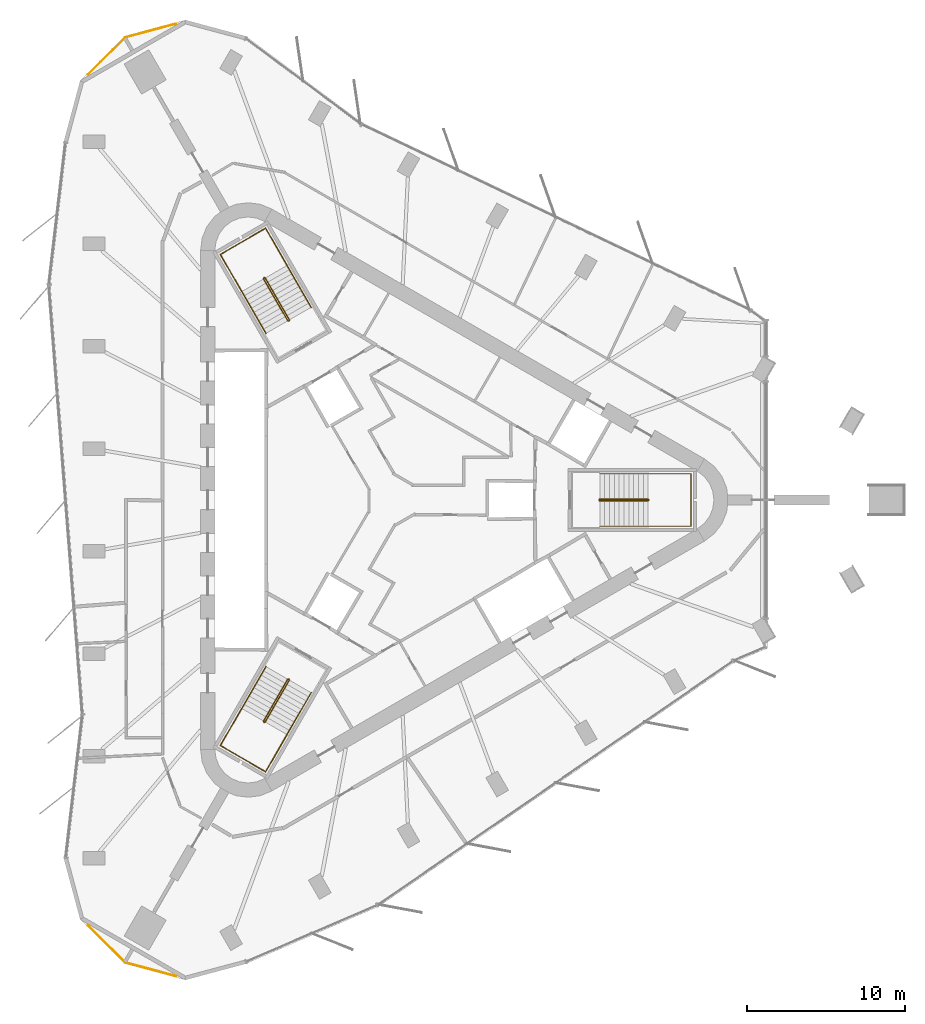
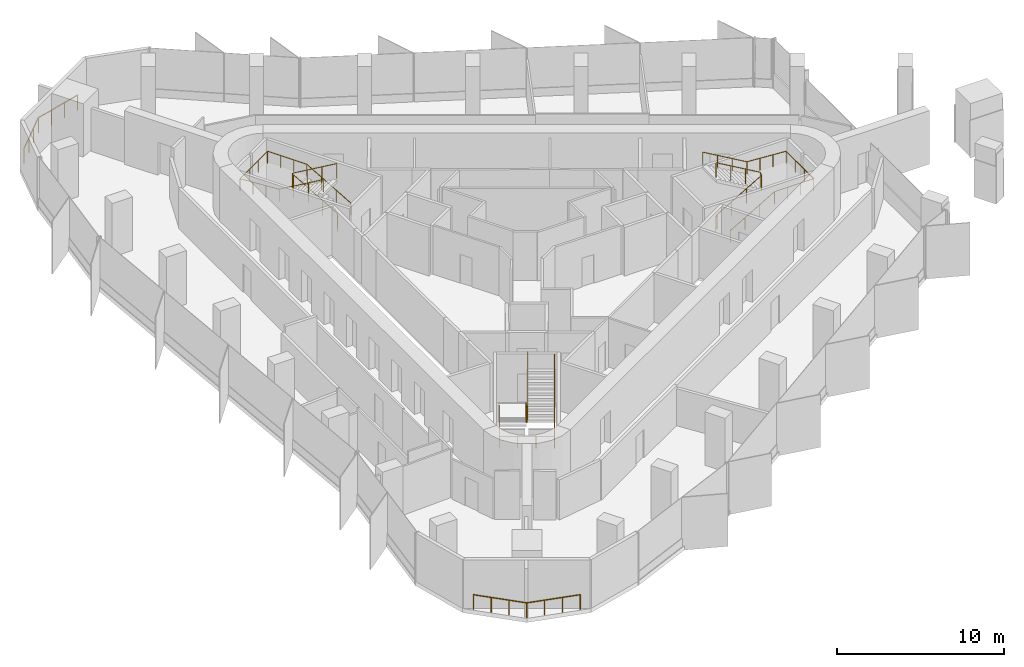
# One storey, part 12 of 12: 8 railings.
"""IFC4 building model written with IfcOpenShell, lengths in metres."""

from ifc_helpers import new_model, si_unit, direction, frame, origin, origin_2d, place, context, subcontext, project, spatial, circle, extrude, material, type_object, element, save


model = new_model("IFC4")

# Units and contexts
model_context = context("Model", 3, precision=1e-05, world=origin(), true_north=direction((0.0, 1.0)))
body_context = subcontext(model_context, "Body", "Model", "MODEL_VIEW")
ifc_project = project(units=[si_unit("LENGTHUNIT", "METRE"), si_unit("AREAUNIT", "SQUARE_METRE"), si_unit("VOLUMEUNIT", "CUBIC_METRE"), si_unit("PLANEANGLEUNIT", "RADIAN"), si_unit("MASSUNIT", "GRAM", prefix="KILO")], contexts=[model_context])

# Site, building, storey
site_placement = place(None, origin())
site = spatial("IfcSite", under=ifc_project, at=site_placement, CompositionType="ELEMENT")
building_placement = place(site_placement, origin())
building = spatial("IfcBuilding", under=site, at=building_placement, Name="Tanit Gate Tower", CompositionType="ELEMENT")
storey_placement = place(building_placement, frame((0.0, 0.0, 388.39990234375)))
storey = spatial("IfcBuildingStorey", under=building, at=storey_placement, Name="L89", CompositionType="ELEMENT", Elevation=388.39990234375)

# Railings
ifc_material_1 = material(Name="Stainless steel", Category="steel")
railing_type_1 = type_object("IfcRailingType", Name="Guard 1100 stainless steel balustrade", PredefinedType="GUARDRAIL", material=ifc_material_1)
railing_1_placement = place(storey_placement, frame((-13.66552734375, -30.05126953125, 0.0)))
element("IfcRailing", 1, at=railing_1_placement, inside=storey, type_object=railing_type_1, Name="Corner ledge guard L89 1", PredefinedType="GUARDRAIL", context=body_context, shape_type="SweptSolid", body=[
    extrude(circle(Radius=0.02392578125, at=origin_2d()), frame((0.0, 0.0, 1.076171875), z_axis=(-0.965927598952, 0.258812429344, 0.0), x_axis=(-0.258812429344, -0.965927598952, 0.0)), (0.0, 0.0, 1.0), 3.303466796875),
    extrude(circle(Radius=0.02392578125, at=origin_2d()), frame((-3.19091796875, 0.85498046875, 1.076171875), z_axis=(-0.707106781187, 0.707106781187, 0.0), x_axis=(-0.707106781187, -0.707106781187, 0.0)), (0.0, 0.0, 1.0), 3.303466796875),
    extrude(circle(Radius=0.02099609375, at=origin_2d()), origin(), (0.0, 0.0, 1.0), 1.052001953125),
    extrude(circle(Radius=0.02099609375, at=origin_2d()), frame((-1.063720703125, 0.284912109375, 0.0)), (0.0, 0.0, 1.0), 1.052001953125),
    extrude(circle(Radius=0.02099609375, at=origin_2d()), frame((-2.127197265625, 0.570068359375, 0.0)), (0.0, 0.0, 1.0), 1.052001953125),
    extrude(circle(Radius=0.02099609375, at=origin_2d()), frame((-3.19091796875, 0.85498046875, 0.0)), (0.0, 0.0, 1.0), 1.052001953125),
    extrude(circle(Radius=0.02099609375, at=origin_2d()), frame((-3.969482421875, 1.633544921875, 0.0)), (0.0, 0.0, 1.0), 1.052001953125),
    extrude(circle(Radius=0.02099609375, at=origin_2d()), frame((-4.748291015625, 2.412353515625, 0.0)), (0.0, 0.0, 1.0), 1.052001953125),
    extrude(circle(Radius=0.02099609375, at=origin_2d()), frame((-5.52685546875, 3.19091796875, 0.0)), (0.0, 0.0, 1.0), 1.052001953125),
])
railing_2_placement = place(storey_placement, frame((-19.1923828125, 26.8603515625, 0.0)))
element("IfcRailing", 2, at=railing_2_placement, inside=storey, type_object=railing_type_1, Name="Corner ledge guard L89 2", PredefinedType="GUARDRAIL", context=body_context, shape_type="SweptSolid", body=[
    extrude(circle(Radius=0.02392578125, at=origin_2d()), frame((0.0, 0.0, 1.076171875), z_axis=(0.707106781187, 0.707106781187, 0.0), x_axis=(-0.707106781187, 0.707106781187, 0.0)), (0.0, 0.0, 1.0), 3.303466796875),
    extrude(circle(Radius=0.02392578125, at=origin_2d()), frame((2.3359375, 2.3359375, 1.076171875), z_axis=(0.965927598952, 0.258812429344, 0.0), x_axis=(-0.258812429344, 0.965927598952, 0.0)), (0.0, 0.0, 1.0), 3.303466796875),
    extrude(circle(Radius=0.02099609375, at=origin_2d()), origin(), (0.0, 0.0, 1.0), 1.052001953125),
    extrude(circle(Radius=0.02099609375, at=origin_2d()), frame((0.778564453125, 0.778564453125, 0.0)), (0.0, 0.0, 1.0), 1.052001953125),
    extrude(circle(Radius=0.02099609375, at=origin_2d()), frame((1.557373046875, 1.557373046875, 0.0)), (0.0, 0.0, 1.0), 1.052001953125),
    extrude(circle(Radius=0.02099609375, at=origin_2d()), frame((2.3359375, 2.3359375, 0.0)), (0.0, 0.0, 1.0), 1.052001953125),
    extrude(circle(Radius=0.02099609375, at=origin_2d()), frame((3.399658203125, 2.620849609375, 0.0)), (0.0, 0.0, 1.0), 1.052001953125),
    extrude(circle(Radius=0.02099609375, at=origin_2d()), frame((4.463134765625, 2.906005859375, 0.0)), (0.0, 0.0, 1.0), 1.052001953125),
    extrude(circle(Radius=0.02099609375, at=origin_2d()), frame((5.52685546875, 3.19091796875, 0.0)), (0.0, 0.0, 1.0), 1.052001953125),
])
ifc_material_2 = material(Name="Stainless steel balustrade", Category="steel")
railing_type_2 = type_object("IfcRailingType", Name="INT-STAIR-GUARD", PredefinedType="GUARDRAIL", material=ifc_material_2)
railing_3_placement = place(storey_placement, frame((13.044921875, 0.0048828125, 0.0)))
element("IfcRailing", 3, at=railing_3_placement, inside=storey, type_object=railing_type_2, Name="L89 S1 stair guard 1", PredefinedType="GUARDRAIL", context=body_context, shape_type="SweptSolid", body=[
    extrude(circle(Radius=0.02392578125, at=origin_2d()), frame((0.0, 0.0, 1.076171875), z_axis=(0.0, -1.0, 0.0), x_axis=(1.0, 0.0, 0.0)), (0.0, 0.0, 1.0), 0.009765625),
    extrude(circle(Radius=0.02392578125, at=origin_2d()), frame((0.0, -0.009765625, 1.076171875), z_axis=(0.261922500866, -0.261922500866, 0.928866625022), x_axis=(0.707106781187, 0.707106781187, 0.0)), (0.0, 0.0, 1.0), 0.191162109375),
    extrude(circle(Radius=0.02392578125, at=origin_2d()), frame((0.050048828125, -0.059814453125, 1.25341796875), z_axis=(0.864648382064, 0.0, 0.502377522779), x_axis=(0.0, 1.0, 0.0)), (0.0, 0.0, 1.0), 3.528564453125),
    extrude(circle(Radius=0.02392578125, at=origin_2d()), frame((3.10107421875, -0.059814453125, 3.0263671875), z_axis=(0.707106781187, 0.707106781187, 0.0), x_axis=(-0.707106781187, 0.707106781187, 0.0)), (0.0, 0.0, 1.0), 0.07080078125),
    extrude(circle(Radius=0.02392578125, at=origin_2d()), frame((3.151123046875, -0.009765625, 3.0263671875), z_axis=(0.0, 1.0, 0.0), x_axis=(-1.0, 0.0, 0.0)), (0.0, 0.0, 1.0), 0.009765625),
    extrude(circle(Radius=0.02392578125, at=origin_2d()), frame((3.151123046875, 0.0, 3.0263671875), z_axis=(-0.262233686654, 0.262233686654, 0.928691007369), x_axis=(-0.707106781187, -0.707106781187, 0.0)), (0.0, 0.0, 1.0), 0.19091796875),
    extrude(circle(Radius=0.02392578125, at=origin_2d()), frame((3.10107421875, 0.050048828125, 3.20361328125), z_axis=(-0.864648382064, 0.0, 0.502377522779), x_axis=(0.0, -1.0, 0.0)), (0.0, 0.0, 1.0), 3.528564453125),
    extrude(circle(Radius=0.02099609375, at=origin_2d()), origin(), (0.0, 0.0, 1.0), 1.052001953125),
    extrude(circle(Radius=0.02099609375, at=origin_2d()), frame((0.0, -0.009765625, 0.0)), (0.0, 0.0, 1.0), 1.052001953125),
    extrude(circle(Radius=0.02099609375, at=origin_2d()), frame((0.050048828125, -0.059814453125, 0.177490234375)), (0.0, 0.0, 1.0), 1.052001953125),
    extrude(circle(Radius=0.02099609375, at=origin_2d()), frame((1.067138671875, -0.059814453125, 0.768310546875)), (0.0, 0.0, 1.0), 1.052001953125),
    extrude(circle(Radius=0.02099609375, at=origin_2d()), frame((2.083984375, -0.059814453125, 1.359375)), (0.0, 0.0, 1.0), 1.052001953125),
    extrude(circle(Radius=0.02099609375, at=origin_2d()), frame((3.10107421875, -0.059814453125, 1.9501953125)), (0.0, 0.0, 1.0), 1.052001953125),
    extrude(circle(Radius=0.02099609375, at=origin_2d()), frame((3.151123046875, -0.009765625, 1.9501953125)), (0.0, 0.0, 1.0), 1.052001953125),
    extrude(circle(Radius=0.02099609375, at=origin_2d()), frame((3.151123046875, 0.0, 1.9501953125)), (0.0, 0.0, 1.0), 1.052001953125),
    extrude(circle(Radius=0.02099609375, at=origin_2d()), frame((3.10107421875, 0.050048828125, 2.12744140625)), (0.0, 0.0, 1.0), 1.052001953125),
    extrude(circle(Radius=0.02099609375, at=origin_2d()), frame((2.083984375, 0.050048828125, 2.71826171875)), (0.0, 0.0, 1.0), 1.052001953125),
    extrude(circle(Radius=0.02099609375, at=origin_2d()), frame((1.067138671875, 0.050048828125, 3.309326171875)), (0.0, 0.0, 1.0), 1.052001953125),
    extrude(circle(Radius=0.02099609375, at=origin_2d()), frame((0.050048828125, 0.050048828125, 3.900146484375)), (0.0, 0.0, 1.0), 1.052001953125),
])
railing_4_placement = place(storey_placement, frame((-6.527099609375, 11.29345703125, 0.0)))
element("IfcRailing", 4, at=railing_4_placement, inside=storey, type_object=railing_type_2, Name="L89 S2 stair guard 1", PredefinedType="GUARDRAIL", context=body_context, shape_type="SweptSolid", body=[
    extrude(circle(Radius=0.02392578125, at=origin_2d()), frame((0.0, 0.0, 1.076171875), z_axis=(0.868243142124, 0.496138938357, 0.0), x_axis=(-0.496138938357, 0.868243142124, 0.0)), (0.0, 0.0, 1.0), 0.01171875),
    extrude(circle(Radius=0.02392578125, at=origin_2d()), frame((0.01025390625, 0.005859375, 1.076171875), z_axis=(0.095827260621, 0.357755106318, 0.928885579619), x_axis=(-0.965948051503, 0.258736085224, 0.0)), (0.0, 0.0, 1.0), 0.191162109375),
    extrude(circle(Radius=0.02392578125, at=origin_2d()), frame((0.028564453125, 0.07421875, 1.25341796875), z_axis=(-0.4322777601, 0.748681545756, 0.50260509465), x_axis=(-0.866012246495, -0.500022788402, 0.0)), (0.0, 0.0, 1.0), 3.527099609375),
    extrude(circle(Radius=0.02392578125, at=origin_2d()), frame((-1.49609375, 2.71484375, 3.0263671875), z_axis=(-0.965715946433, 0.259601060869, 0.0), x_axis=(-0.259601060869, -0.965715946433, 0.0)), (0.0, 0.0, 1.0), 0.070556640625),
    extrude(circle(Radius=0.02392578125, at=origin_2d()), frame((-1.564208984375, 2.733154296875, 3.0263671875), z_axis=(-0.873197702015, -0.487366159264, 0.0), x_axis=(0.487366159264, -0.873197702015, 0.0)), (0.0, 0.0, 1.0), 0.011962890625),
    extrude(circle(Radius=0.02392578125, at=origin_2d()), frame((-1.57470703125, 2.727294921875, 3.0263671875), z_axis=(-0.095941116058, -0.358180166617, 0.928710003441), x_axis=(0.965948051503, -0.258736085224, 0.0)), (0.0, 0.0, 1.0), 0.19091796875),
    extrude(circle(Radius=0.02392578125, at=origin_2d()), frame((-1.593017578125, 2.658935546875, 3.20361328125), z_axis=(0.4322777601, -0.748681545756, 0.50260509465), x_axis=(0.866012246495, 0.500022788402, 0.0)), (0.0, 0.0, 1.0), 3.527099609375),
    extrude(circle(Radius=0.02099609375, at=origin_2d()), origin(), (0.0, 0.0, 1.0), 1.052001953125),
    extrude(circle(Radius=0.02099609375, at=origin_2d()), frame((0.01025390625, 0.005859375, 0.0)), (0.0, 0.0, 1.0), 1.052001953125),
    extrude(circle(Radius=0.02099609375, at=origin_2d()), frame((0.028564453125, 0.07421875, 0.177490234375)), (0.0, 0.0, 1.0), 1.052001953125),
    extrude(circle(Radius=0.02099609375, at=origin_2d()), frame((-0.479736328125, 0.954345703125, 0.768310546875)), (0.0, 0.0, 1.0), 1.052001953125),
    extrude(circle(Radius=0.02099609375, at=origin_2d()), frame((-0.98779296875, 1.834716796875, 1.359375)), (0.0, 0.0, 1.0), 1.052001953125),
    extrude(circle(Radius=0.02099609375, at=origin_2d()), frame((-1.49609375, 2.71484375, 1.9501953125)), (0.0, 0.0, 1.0), 1.052001953125),
    extrude(circle(Radius=0.02099609375, at=origin_2d()), frame((-1.564208984375, 2.733154296875, 1.9501953125)), (0.0, 0.0, 1.0), 1.052001953125),
    extrude(circle(Radius=0.02099609375, at=origin_2d()), frame((-1.57470703125, 2.727294921875, 1.9501953125)), (0.0, 0.0, 1.0), 1.052001953125),
    extrude(circle(Radius=0.02099609375, at=origin_2d()), frame((-1.593017578125, 2.658935546875, 2.12744140625)), (0.0, 0.0, 1.0), 1.052001953125),
    extrude(circle(Radius=0.02099609375, at=origin_2d()), frame((-1.084716796875, 1.77880859375, 2.71826171875)), (0.0, 0.0, 1.0), 1.052001953125),
    extrude(circle(Radius=0.02099609375, at=origin_2d()), frame((-0.57666015625, 0.8984375, 3.309326171875)), (0.0, 0.0, 1.0), 1.052001953125),
    extrude(circle(Radius=0.02099609375, at=origin_2d()), frame((-0.068359375, 0.018310546875, 3.900146484375)), (0.0, 0.0, 1.0), 1.052001953125),
])
railing_5_placement = place(storey_placement, frame((-6.51806640625, -11.2998046875, 0.0)))
element("IfcRailing", 5, at=railing_5_placement, inside=storey, type_object=railing_type_2, Name="L89 S3 stair guard 1", PredefinedType="GUARDRAIL", context=body_context, shape_type="SweptSolid", body=[
    extrude(circle(Radius=0.02392578125, at=origin_2d()), frame((0.0, 0.0, 1.076171875), z_axis=(-0.874157276122, 0.485642931179, 0.0), x_axis=(-0.485642931179, -0.874157276122, 0.0)), (0.0, 0.0, 1.0), 0.010009765625),
    extrude(circle(Radius=0.02392578125, at=origin_2d()), frame((-0.0087890625, 0.0048828125, 1.076171875), z_axis=(-0.357798625124, -0.094561065211, 0.928998573091), x_axis=(0.255512919477, -0.966805641264, 0.0)), (0.0, 0.0, 1.0), 0.191162109375),
    extrude(circle(Radius=0.02392578125, at=origin_2d()), frame((-0.0771484375, -0.01318359375, 1.25341796875), z_axis=(-0.432289778901, -0.748827189027, 0.502377734411), x_axis=(0.866048339477, -0.499960272111, 0.0)), (0.0, 0.0, 1.0), 3.528564453125),
    extrude(circle(Radius=0.02392578125, at=origin_2d()), frame((-1.6025390625, -2.655517578125, 3.0263671875), z_axis=(0.258736085224, -0.965948051503, 0.0), x_axis=(0.965948051503, 0.258736085224, 0.0)), (0.0, 0.0, 1.0), 0.07080078125),
    extrude(circle(Radius=0.02392578125, at=origin_2d()), frame((-1.584228515625, -2.723876953125, 3.0263671875), z_axis=(0.868243142124, -0.496138938357, 0.0), x_axis=(0.496138938357, 0.868243142124, 0.0)), (0.0, 0.0, 1.0), 0.009765625),
    extrude(circle(Radius=0.02392578125, at=origin_2d()), frame((-1.57568359375, -2.728759765625, 3.0263671875), z_axis=(0.358180166617, 0.095941116058, 0.928710003441), x_axis=(-0.258736085224, 0.965948051503, 0.0)), (0.0, 0.0, 1.0), 0.19091796875),
    extrude(circle(Radius=0.02392578125, at=origin_2d()), frame((-1.50732421875, -2.71044921875, 3.20361328125), z_axis=(0.432368434633, 0.748774395838, 0.502388734816), x_axis=(-0.865993683553, 0.500054937028, 0.0)), (0.0, 0.0, 1.0), 3.528564453125),
    extrude(circle(Radius=0.02099609375, at=origin_2d()), origin(), (0.0, 0.0, 1.0), 1.052001953125),
    extrude(circle(Radius=0.02099609375, at=origin_2d()), frame((-0.0087890625, 0.0048828125, 0.0)), (0.0, 0.0, 1.0), 1.052001953125),
    extrude(circle(Radius=0.02099609375, at=origin_2d()), frame((-0.0771484375, -0.01318359375, 0.177490234375)), (0.0, 0.0, 1.0), 1.052001953125),
    extrude(circle(Radius=0.02099609375, at=origin_2d()), frame((-0.585693359375, -0.89404296875, 0.768310546875)), (0.0, 0.0, 1.0), 1.052001953125),
    extrude(circle(Radius=0.02099609375, at=origin_2d()), frame((-1.093994140625, -1.774658203125, 1.359375)), (0.0, 0.0, 1.0), 1.052001953125),
    extrude(circle(Radius=0.02099609375, at=origin_2d()), frame((-1.6025390625, -2.655517578125, 1.9501953125)), (0.0, 0.0, 1.0), 1.052001953125),
    extrude(circle(Radius=0.02099609375, at=origin_2d()), frame((-1.584228515625, -2.723876953125, 1.9501953125)), (0.0, 0.0, 1.0), 1.052001953125),
    extrude(circle(Radius=0.02099609375, at=origin_2d()), frame((-1.57568359375, -2.728759765625, 1.9501953125)), (0.0, 0.0, 1.0), 1.052001953125),
    extrude(circle(Radius=0.02099609375, at=origin_2d()), frame((-1.50732421875, -2.71044921875, 2.12744140625)), (0.0, 0.0, 1.0), 1.052001953125),
    extrude(circle(Radius=0.02099609375, at=origin_2d()), frame((-0.998779296875, -1.829833984375, 2.71826171875)), (0.0, 0.0, 1.0), 1.052001953125),
    extrude(circle(Radius=0.02099609375, at=origin_2d()), frame((-0.490234375, -0.948974609375, 3.309326171875)), (0.0, 0.0, 1.0), 1.052001953125),
    extrude(circle(Radius=0.02099609375, at=origin_2d()), frame((0.018310546875, -0.068359375, 3.900146484375)), (0.0, 0.0, 1.0), 1.052001953125),
])
ifc_material_3 = material(Name="Stainless steel handrail", Category="steel")
railing_type_3 = type_object("IfcRailingType", Name="INT-STAIR-HANDRAIL", PredefinedType="HANDRAIL", material=ifc_material_3)
railing_6_placement = place(storey_placement, frame((13.094970703125, -1.64990234375, 0.177490234375)))
element("IfcRailing", 6, at=railing_6_placement, inside=storey, type_object=railing_type_3, Name="L89 S1 stair handrail 1", PredefinedType="HANDRAIL", context=body_context, shape_type="SweptSolid", body=[
    extrude(circle(Radius=0.02392578125, at=origin_2d()), frame((0.0, 0.0, 0.8759765625), z_axis=(0.864648382064, 0.0, 0.502377522779), x_axis=(0.0, 1.0, 0.0)), (0.0, 0.0, 1.0), 3.528564453125),
    extrude(circle(Radius=0.02392578125, at=origin_2d()), frame((3.051025390625, 0.0, 2.6484375), z_axis=(1.0, 0.0, 0.0), x_axis=(0.0, 1.0, 0.0)), (0.0, 0.0, 1.0), 2.7041015625),
    extrude(circle(Radius=0.02392578125, at=origin_2d()), frame((5.755126953125, 0.0, 2.6484375), z_axis=(0.0, 1.0, 0.0), x_axis=(-1.0, 0.0, 0.0)), (0.0, 0.0, 1.0), 3.2998046875),
    extrude(circle(Radius=0.02392578125, at=origin_2d()), frame((5.755126953125, 3.2998046875, 2.6484375), z_axis=(-0.997858684482, 0.0, 0.065406771843), x_axis=(0.0, -1.0, 0.0)), (0.0, 0.0, 1.0), 2.7099609375),
    extrude(circle(Radius=0.02392578125, at=origin_2d()), frame((3.051025390625, 3.2998046875, 2.82568359375), z_axis=(-0.864648382064, 0.0, 0.502377522779), x_axis=(0.0, -1.0, 0.0)), (0.0, 0.0, 1.0), 3.528564453125),
    extrude(circle(Radius=0.02099609375, at=origin_2d()), origin(), (0.0, 0.0, 1.0), 0.851806640625),
    extrude(circle(Radius=0.02099609375, at=origin_2d()), frame((1.01708984375, 0.0, 0.5908203125)), (0.0, 0.0, 1.0), 0.851806640625),
    extrude(circle(Radius=0.02099609375, at=origin_2d()), frame((2.033935546875, 0.0, 1.181884765625)), (0.0, 0.0, 1.0), 0.851806640625),
    extrude(circle(Radius=0.02099609375, at=origin_2d()), frame((3.051025390625, 0.0, 1.772705078125)), (0.0, 0.0, 1.0), 0.851806640625),
    extrude(circle(Radius=0.02099609375, at=origin_2d()), frame((3.952392578125, 0.0, 1.772705078125)), (0.0, 0.0, 1.0), 0.851806640625),
    extrude(circle(Radius=0.02099609375, at=origin_2d()), frame((4.853759765625, 0.0, 1.772705078125)), (0.0, 0.0, 1.0), 0.851806640625),
    extrude(circle(Radius=0.02099609375, at=origin_2d()), frame((5.755126953125, 0.0, 1.772705078125)), (0.0, 0.0, 1.0), 0.851806640625),
    extrude(circle(Radius=0.02099609375, at=origin_2d()), frame((5.755126953125, 1.099853515625, 1.772705078125)), (0.0, 0.0, 1.0), 0.851806640625),
    extrude(circle(Radius=0.02099609375, at=origin_2d()), frame((5.755126953125, 2.199951171875, 1.772705078125)), (0.0, 0.0, 1.0), 0.851806640625),
    extrude(circle(Radius=0.02099609375, at=origin_2d()), frame((5.755126953125, 3.2998046875, 1.772705078125)), (0.0, 0.0, 1.0), 0.851806640625),
    extrude(circle(Radius=0.02099609375, at=origin_2d()), frame((4.853759765625, 3.2998046875, 1.831787109375)), (0.0, 0.0, 1.0), 0.851806640625),
    extrude(circle(Radius=0.02099609375, at=origin_2d()), frame((3.952392578125, 3.2998046875, 1.890869140625)), (0.0, 0.0, 1.0), 0.851806640625),
    extrude(circle(Radius=0.02099609375, at=origin_2d()), frame((3.051025390625, 3.2998046875, 1.949951171875)), (0.0, 0.0, 1.0), 0.851806640625),
    extrude(circle(Radius=0.02099609375, at=origin_2d()), frame((2.033935546875, 3.2998046875, 2.540771484375)), (0.0, 0.0, 1.0), 0.851806640625),
    extrude(circle(Radius=0.02099609375, at=origin_2d()), frame((1.01708984375, 3.2998046875, 3.1318359375)), (0.0, 0.0, 1.0), 0.851806640625),
    extrude(circle(Radius=0.02099609375, at=origin_2d()), frame((0.0, 3.2998046875, 3.72265625)), (0.0, 0.0, 1.0), 0.851806640625),
])
railing_7_placement = place(storey_placement, frame((-5.1181640625, 12.164794921875, 0.177490234375)))
element("IfcRailing", 7, at=railing_7_placement, inside=storey, type_object=railing_type_3, Name="L89 S2 stair handrail 1", PredefinedType="HANDRAIL", context=body_context, shape_type="SweptSolid", body=[
    extrude(circle(Radius=0.02392578125, at=origin_2d()), frame((0.0, 0.0, 0.8759765625), z_axis=(-0.432221472453, 0.748703947157, 0.502620133164), x_axis=(-0.866046917185, -0.499962735845, 0.0)), (0.0, 0.0, 1.0), 3.52685546875),
    extrude(circle(Radius=0.02392578125, at=origin_2d()), frame((-1.5244140625, 2.640625, 2.6484375), z_axis=(-0.500019123664, 0.86601436245, 0.0), x_axis=(-0.86601436245, -0.500019123664, 0.0)), (0.0, 0.0, 1.0), 2.70703125),
    extrude(circle(Radius=0.02392578125, at=origin_2d()), frame((-2.8779296875, 4.98486328125, 2.6484375), z_axis=(-0.866008176907, -0.50002983664, 0.0), x_axis=(0.50002983664, -0.866008176907, 0.0)), (0.0, 0.0, 1.0), 3.300048828125),
    extrude(circle(Radius=0.02392578125, at=origin_2d()), frame((-5.73583984375, 3.334716796875, 2.6484375), z_axis=(0.498989459885, -0.864141018102, 0.065343857842), x_axis=(0.865991810323, 0.500058181068, 0.0)), (0.0, 0.0, 1.0), 2.71240234375),
    extrude(circle(Radius=0.02392578125, at=origin_2d()), frame((-4.38232421875, 0.99072265625, 2.82568359375), z_axis=(0.432255358616, -0.748711963836, 0.502579048665), x_axis=(0.866032263162, 0.499988119021, 0.0)), (0.0, 0.0, 1.0), 3.527099609375),
    extrude(circle(Radius=0.02099609375, at=origin_2d()), origin(), (0.0, 0.0, 1.0), 0.851806640625),
    extrude(circle(Radius=0.02099609375, at=origin_2d()), frame((-0.508056640625, 0.880126953125, 0.5908203125)), (0.0, 0.0, 1.0), 0.851806640625),
    extrude(circle(Radius=0.02099609375, at=origin_2d()), frame((-1.016357421875, 1.760498046875, 1.181884765625)), (0.0, 0.0, 1.0), 0.851806640625),
    extrude(circle(Radius=0.02099609375, at=origin_2d()), frame((-1.5244140625, 2.640625, 1.772705078125)), (0.0, 0.0, 1.0), 0.851806640625),
    extrude(circle(Radius=0.02099609375, at=origin_2d()), frame((-1.9755859375, 3.422119140625, 1.772705078125)), (0.0, 0.0, 1.0), 0.851806640625),
    extrude(circle(Radius=0.02099609375, at=origin_2d()), frame((-2.4267578125, 4.203369140625, 1.772705078125)), (0.0, 0.0, 1.0), 0.851806640625),
    extrude(circle(Radius=0.02099609375, at=origin_2d()), frame((-2.8779296875, 4.98486328125, 1.772705078125)), (0.0, 0.0, 1.0), 0.851806640625),
    extrude(circle(Radius=0.02099609375, at=origin_2d()), frame((-3.83056640625, 4.434814453125, 1.772705078125)), (0.0, 0.0, 1.0), 0.851806640625),
    extrude(circle(Radius=0.02099609375, at=origin_2d()), frame((-4.783203125, 3.884765625, 1.772705078125)), (0.0, 0.0, 1.0), 0.851806640625),
    extrude(circle(Radius=0.02099609375, at=origin_2d()), frame((-5.73583984375, 3.334716796875, 1.772705078125)), (0.0, 0.0, 1.0), 0.851806640625),
    extrude(circle(Radius=0.02099609375, at=origin_2d()), frame((-5.28466796875, 2.553466796875, 1.831787109375)), (0.0, 0.0, 1.0), 0.851806640625),
    extrude(circle(Radius=0.02099609375, at=origin_2d()), frame((-4.83349609375, 1.77197265625, 1.890869140625)), (0.0, 0.0, 1.0), 0.851806640625),
    extrude(circle(Radius=0.02099609375, at=origin_2d()), frame((-4.38232421875, 0.99072265625, 1.949951171875)), (0.0, 0.0, 1.0), 0.851806640625),
    extrude(circle(Radius=0.02099609375, at=origin_2d()), frame((-3.8740234375, 0.1103515625, 2.540771484375)), (0.0, 0.0, 1.0), 0.851806640625),
    extrude(circle(Radius=0.02099609375, at=origin_2d()), frame((-3.365966796875, -0.769775390625, 3.1318359375)), (0.0, 0.0, 1.0), 0.851806640625),
    extrude(circle(Radius=0.02099609375, at=origin_2d()), frame((-2.857666015625, -1.650146484375, 3.72265625)), (0.0, 0.0, 1.0), 0.851806640625),
])
railing_8_placement = place(storey_placement, frame((-7.9765625, -10.515625, 0.177490234375)))
element("IfcRailing", 8, at=railing_8_placement, inside=storey, type_object=railing_type_3, Name="L89 S3 stair handrail 1", PredefinedType="HANDRAIL", context=body_context, shape_type="SweptSolid", body=[
    extrude(circle(Radius=0.02392578125, at=origin_2d()), frame((0.0, 0.0, 0.8759765625), z_axis=(-0.432289778901, -0.748827189027, 0.502377734411), x_axis=(0.866048339477, -0.499960272111, 0.0)), (0.0, 0.0, 1.0), 3.528564453125),
    extrude(circle(Radius=0.02392578125, at=origin_2d()), frame((-1.525390625, -2.642333984375, 2.6484375), z_axis=(-0.50004290449, -0.866000631449, 0.0), x_axis=(0.866000631449, -0.50004290449, 0.0)), (0.0, 0.0, 1.0), 2.703857421875),
    extrude(circle(Radius=0.02392578125, at=origin_2d()), frame((-2.87744140625, -4.98388671875, 2.6484375), z_axis=(0.866008176907, -0.50002983664, 0.0), x_axis=(0.50002983664, 0.866008176907, 0.0)), (0.0, 0.0, 1.0), 3.300048828125),
    extrude(circle(Radius=0.02392578125, at=origin_2d()), frame((-0.01953125, -6.634033203125, 2.6484375), z_axis=(0.498933124603, 0.864168748861, 0.065407267689), x_axis=(-0.866023205937, 0.500003806764, 0.0)), (0.0, 0.0, 1.0), 2.7099609375),
    extrude(circle(Radius=0.02392578125, at=origin_2d()), frame((1.33251953125, -4.292236328125, 2.82568359375), z_axis=(0.432289778901, 0.748827189027, 0.502377734411), x_axis=(-0.866048339477, 0.499960272111, 0.0)), (0.0, 0.0, 1.0), 3.528564453125),
    extrude(circle(Radius=0.02099609375, at=origin_2d()), origin(), (0.0, 0.0, 1.0), 0.851806640625),
    extrude(circle(Radius=0.02099609375, at=origin_2d()), frame((-0.508544921875, -0.880859375, 0.5908203125)), (0.0, 0.0, 1.0), 0.851806640625),
    extrude(circle(Radius=0.02099609375, at=origin_2d()), frame((-1.016845703125, -1.761474609375, 1.181884765625)), (0.0, 0.0, 1.0), 0.851806640625),
    extrude(circle(Radius=0.02099609375, at=origin_2d()), frame((-1.525390625, -2.642333984375, 1.772705078125)), (0.0, 0.0, 1.0), 0.851806640625),
    extrude(circle(Radius=0.02099609375, at=origin_2d()), frame((-1.97607421875, -3.4228515625, 1.772705078125)), (0.0, 0.0, 1.0), 0.851806640625),
    extrude(circle(Radius=0.02099609375, at=origin_2d()), frame((-2.4267578125, -4.203369140625, 1.772705078125)), (0.0, 0.0, 1.0), 0.851806640625),
    extrude(circle(Radius=0.02099609375, at=origin_2d()), frame((-2.87744140625, -4.98388671875, 1.772705078125)), (0.0, 0.0, 1.0), 0.851806640625),
    extrude(circle(Radius=0.02099609375, at=origin_2d()), frame((-1.9248046875, -5.533935546875, 1.772705078125)), (0.0, 0.0, 1.0), 0.851806640625),
    extrude(circle(Radius=0.02099609375, at=origin_2d()), frame((-0.97216796875, -6.083984375, 1.772705078125)), (0.0, 0.0, 1.0), 0.851806640625),
    extrude(circle(Radius=0.02099609375, at=origin_2d()), frame((-0.01953125, -6.634033203125, 1.772705078125)), (0.0, 0.0, 1.0), 0.851806640625),
    extrude(circle(Radius=0.02099609375, at=origin_2d()), frame((0.43115234375, -5.853515625, 1.831787109375)), (0.0, 0.0, 1.0), 0.851806640625),
    extrude(circle(Radius=0.02099609375, at=origin_2d()), frame((0.8818359375, -5.07275390625, 1.890869140625)), (0.0, 0.0, 1.0), 0.851806640625),
    extrude(circle(Radius=0.02099609375, at=origin_2d()), frame((1.33251953125, -4.292236328125, 1.949951171875)), (0.0, 0.0, 1.0), 0.851806640625),
    extrude(circle(Radius=0.02099609375, at=origin_2d()), frame((1.841064453125, -3.411376953125, 2.540771484375)), (0.0, 0.0, 1.0), 0.851806640625),
    extrude(circle(Radius=0.02099609375, at=origin_2d()), frame((2.349365234375, -2.53076171875, 3.1318359375)), (0.0, 0.0, 1.0), 0.851806640625),
    extrude(circle(Radius=0.02099609375, at=origin_2d()), frame((2.85791015625, -1.64990234375, 3.72265625)), (0.0, 0.0, 1.0), 0.851806640625),
])

save(model, "model.ifc")
